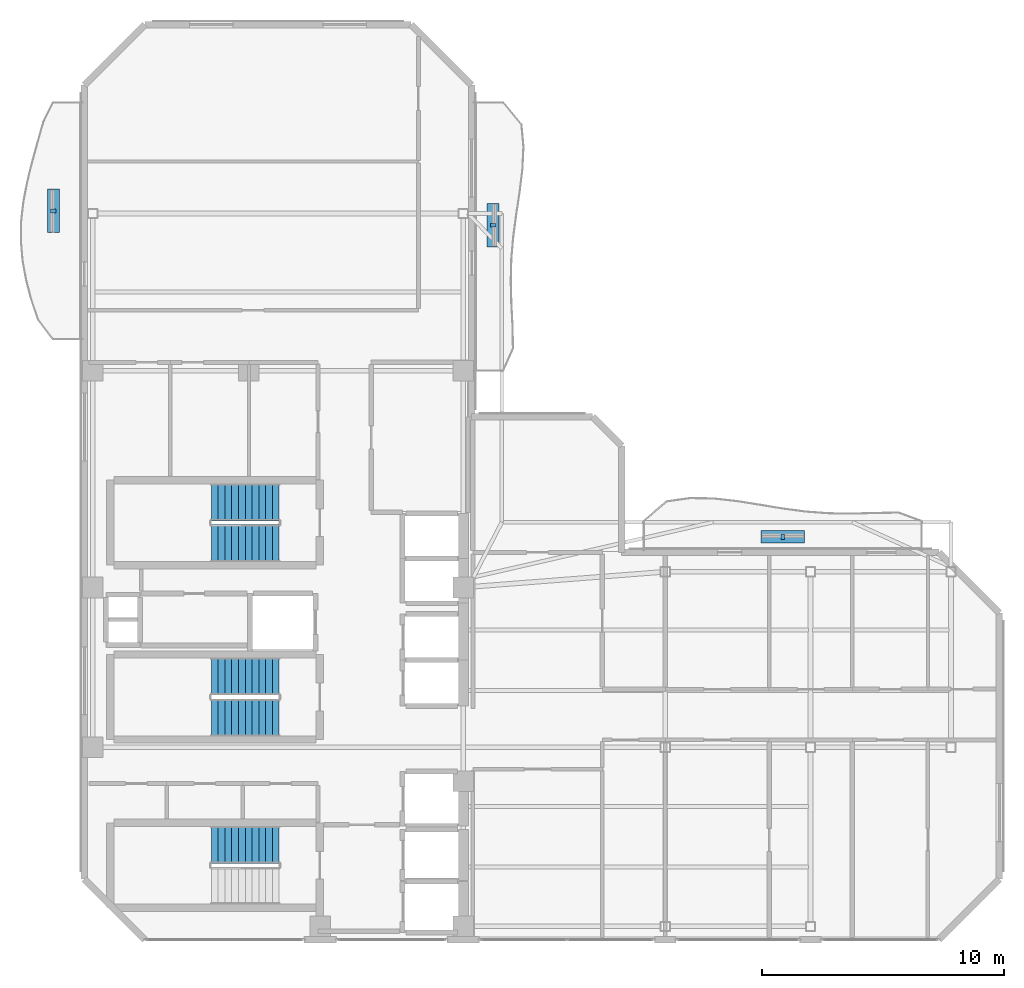
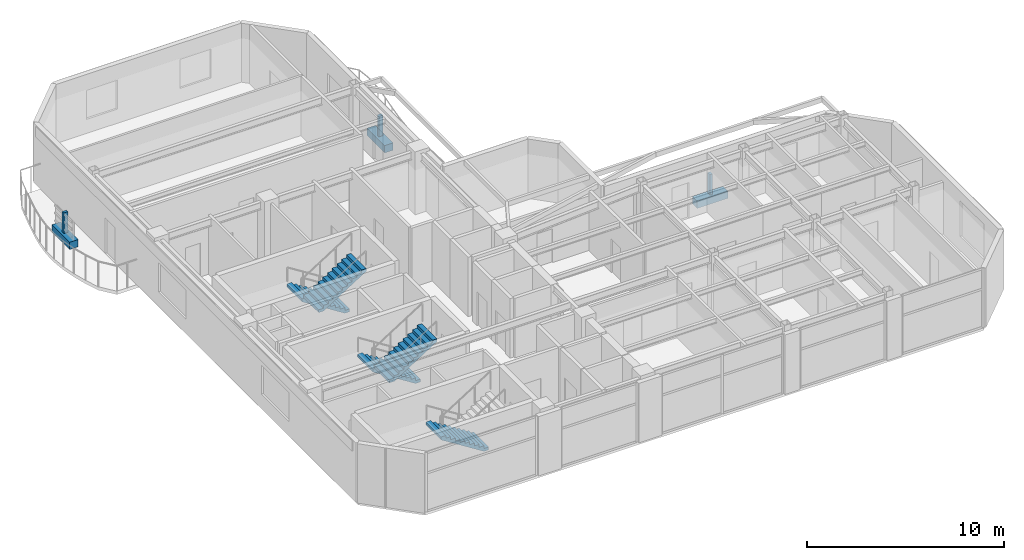
# One storey, part 12 of 15: 6 discrete accessories, 5 stair flights, 3 elements without a shape of their own.
"""IFC4 building model written with IfcOpenShell, lengths in metres."""

from ifc_helpers import new_model, si_unit, direction, frame, origin, origin_2d, place, context, subcontext, project, spatial, polyline, rectangle, outline, extrude, material, type_object, element, aggregate, save


model = new_model("IFC4")

# Units and contexts
model_context = context("Model", 3, precision=1e-05, world=origin(), true_north=direction((0.0, 1.0)))
body_context = subcontext(model_context, "Body", "Model", "MODEL_VIEW")
ifc_project = project(units=[si_unit("LENGTHUNIT", "METRE"), si_unit("AREAUNIT", "SQUARE_METRE"), si_unit("VOLUMEUNIT", "CUBIC_METRE"), si_unit("PLANEANGLEUNIT", "RADIAN"), si_unit("MASSUNIT", "GRAM", prefix="KILO")], contexts=[model_context])

# Site, building, storey
site_placement = place(None, origin())
site = spatial("IfcSite", under=ifc_project, at=site_placement, CompositionType="ELEMENT")
building_placement = place(site_placement, origin())
building = spatial("IfcBuilding", under=site, at=building_placement, Name="Mawjaban Terraces University", CompositionType="ELEMENT")
storey_placement = place(building_placement, frame((0.0, 0.0, 279.39990234375)))
storey = spatial("IfcBuildingStorey", under=building, at=storey_placement, Name="L68", CompositionType="ELEMENT", Elevation=279.39990234375)

# Stair, stair flight
ifc_material_1 = material(Name="Concrete C40/50", Category="concrete")
stair_type = type_object("IfcStairType", Name="Stair_Core1550_H39", PredefinedType="HALF_TURN_STAIR", material=ifc_material_1)
stair_1_placement = place(storey_placement, origin())
stair_1 = element("IfcStair", 1, at=stair_1_placement, inside=storey, type_object=stair_type, Name="L68 Core Exit Stair 1", PredefinedType="HALF_TURN_STAIR")
stair_flight_type = type_object("IfcStairFlightType", Name="Flight_Core1550_H39", PredefinedType="STRAIGHT", material=ifc_material_1)
stair_flight_1_placement = place(storey_placement, frame((30.050048828125, 3.925048828125, 0.0), z_axis=(0.0, 0.0, 1.0), x_axis=(-1.0, 0.0, 0.0)))
stair_flight_1 = element("IfcStairFlight", 2, at=stair_flight_1_placement, type_object=stair_flight_type, Name="ST-1 flight 1", NumberOfRisers=11, NumberOfTreads=10, PredefinedType="STRAIGHT", RiserHeight=0.177272727, TreadLength=0.28, context=body_context, shape_type="SweptSolid", body=[
    extrude(outline(polyline([(0.0, 0.0), (0.0, 0.17724609375), (0.280029296875, 0.17724609375), (0.280029296875, 0.3544921875), (0.56005859375, 0.3544921875), (0.56005859375, 0.53173828125), (0.840087890625, 0.53173828125), (0.840087890625, 0.708984375), (1.1201171875, 0.708984375), (1.1201171875, 0.886474609375), (1.39990234375, 0.886474609375), (1.39990234375, 1.063720703125), (1.679931640625, 1.063720703125), (1.679931640625, 1.240966796875), (1.9599609375, 1.240966796875), (1.9599609375, 1.418212890625), (2.239990234375, 1.418212890625), (2.239990234375, 1.595458984375), (2.52001953125, 1.595458984375), (2.52001953125, 1.772705078125), (2.800048828125, 1.772705078125), (2.800048828125, 1.949951171875), (2.800048828125, 1.59521484375), (0.2802734375, 0.0), (0.0, 0.0)])), frame((0.0, 0.77490234375, 0.0), z_axis=(0.0, -1.0, 0.0), x_axis=(1.0, 0.0, 0.0)), (0.0, 0.0, 1.0), 1.550048828125),
])
aggregate(stair_1, [stair_flight_1])

# Stair, stair flights
stair_2_placement = place(storey_placement, origin())
stair_2 = element("IfcStair", 3, at=stair_2_placement, inside=storey, type_object=stair_type, Name="L68 Core Exit Stair 2", PredefinedType="HALF_TURN_STAIR")
stair_flight_2_placement = place(storey_placement, frame((30.050048828125, 18.074951171875, 0.0), z_axis=(0.0, 0.0, 1.0), x_axis=(-1.0, 0.0, 0.0)))
stair_flight_2 = element("IfcStairFlight", 4, at=stair_flight_2_placement, type_object=stair_flight_type, Name="ST-2 flight 1", NumberOfRisers=11, NumberOfTreads=10, PredefinedType="STRAIGHT", RiserHeight=0.177272727, TreadLength=0.28, context=body_context, shape_type="SweptSolid", body=[
    extrude(outline(polyline([(0.0, 0.0), (0.0, 0.17724609375), (0.280029296875, 0.17724609375), (0.280029296875, 0.3544921875), (0.56005859375, 0.3544921875), (0.56005859375, 0.53173828125), (0.840087890625, 0.53173828125), (0.840087890625, 0.708984375), (1.1201171875, 0.708984375), (1.1201171875, 0.886474609375), (1.39990234375, 0.886474609375), (1.39990234375, 1.063720703125), (1.679931640625, 1.063720703125), (1.679931640625, 1.240966796875), (1.9599609375, 1.240966796875), (1.9599609375, 1.418212890625), (2.239990234375, 1.418212890625), (2.239990234375, 1.595458984375), (2.52001953125, 1.595458984375), (2.52001953125, 1.772705078125), (2.800048828125, 1.772705078125), (2.800048828125, 1.949951171875), (2.800048828125, 1.59521484375), (0.2802734375, 0.0), (0.0, 0.0)])), frame((0.0, 0.77490234375, 0.0), z_axis=(0.0, -1.0, 0.0), x_axis=(1.0, 0.0, 0.0)), (0.0, 0.0, 1.0), 1.550048828125),
])
stair_flight_3_placement = place(storey_placement, frame((27.25, 16.375, 1.9501953125), z_axis=(0.0, 0.0, 1.0), x_axis=(1.0, 0.0, 0.0)))
stair_flight_3 = element("IfcStairFlight", 5, at=stair_flight_3_placement, type_object=stair_flight_type, Name="ST-2 flight 2", NumberOfRisers=11, NumberOfTreads=10, PredefinedType="STRAIGHT", RiserHeight=0.177272727, TreadLength=0.28, context=body_context, shape_type="SweptSolid", body=[
    extrude(outline(polyline([(0.0, 0.0), (0.0, 0.17724609375), (0.280029296875, 0.17724609375), (0.280029296875, 0.3544921875), (0.56005859375, 0.3544921875), (0.56005859375, 0.53173828125), (0.840087890625, 0.53173828125), (0.840087890625, 0.708984375), (1.1201171875, 0.708984375), (1.1201171875, 0.886474609375), (1.39990234375, 0.886474609375), (1.39990234375, 1.063720703125), (1.679931640625, 1.063720703125), (1.679931640625, 1.240966796875), (1.9599609375, 1.240966796875), (1.9599609375, 1.418212890625), (2.239990234375, 1.418212890625), (2.239990234375, 1.595458984375), (2.52001953125, 1.595458984375), (2.52001953125, 1.772705078125), (2.800048828125, 1.772705078125), (2.800048828125, 1.949951171875), (2.800048828125, 1.59521484375), (0.2802734375, 0.0), (0.0, 0.0)])), frame((0.0, 0.77490234375, 0.0), z_axis=(0.0, -1.0, 0.0), x_axis=(1.0, 0.0, 0.0)), (0.0, 0.0, 1.0), 1.550048828125),
])
aggregate(stair_2, [stair_flight_2, stair_flight_3])

stair_3_placement = place(storey_placement, origin())
stair_3 = element("IfcStair", 6, at=stair_3_placement, inside=storey, type_object=stair_type, Name="L68 Core Exit Stair 3", PredefinedType="HALF_TURN_STAIR")
stair_flight_4_placement = place(storey_placement, frame((30.050048828125, 10.875, 0.0), z_axis=(0.0, 0.0, 1.0), x_axis=(-1.0, 0.0, 0.0)))
stair_flight_4 = element("IfcStairFlight", 7, at=stair_flight_4_placement, type_object=stair_flight_type, Name="ST-3 flight 1", NumberOfRisers=11, NumberOfTreads=10, PredefinedType="STRAIGHT", RiserHeight=0.177272727, TreadLength=0.28, context=body_context, shape_type="SweptSolid", body=[
    extrude(outline(polyline([(0.0, 0.0), (0.0, 0.17724609375), (0.280029296875, 0.17724609375), (0.280029296875, 0.3544921875), (0.56005859375, 0.3544921875), (0.56005859375, 0.53173828125), (0.840087890625, 0.53173828125), (0.840087890625, 0.708984375), (1.1201171875, 0.708984375), (1.1201171875, 0.886474609375), (1.39990234375, 0.886474609375), (1.39990234375, 1.063720703125), (1.679931640625, 1.063720703125), (1.679931640625, 1.240966796875), (1.9599609375, 1.240966796875), (1.9599609375, 1.418212890625), (2.239990234375, 1.418212890625), (2.239990234375, 1.595458984375), (2.52001953125, 1.595458984375), (2.52001953125, 1.772705078125), (2.800048828125, 1.772705078125), (2.800048828125, 1.949951171875), (2.800048828125, 1.59521484375), (0.2802734375, 0.0), (0.0, 0.0)])), frame((0.0, 0.77490234375, 0.0), z_axis=(0.0, -1.0, 0.0), x_axis=(1.0, 0.0, 0.0)), (0.0, 0.0, 1.0), 1.550048828125),
])
stair_flight_5_placement = place(storey_placement, frame((27.25, 9.175048828125, 1.9501953125), z_axis=(0.0, 0.0, 1.0), x_axis=(1.0, 0.0, 0.0)))
stair_flight_5 = element("IfcStairFlight", 8, at=stair_flight_5_placement, type_object=stair_flight_type, Name="ST-3 flight 2", NumberOfRisers=11, NumberOfTreads=10, PredefinedType="STRAIGHT", RiserHeight=0.177272727, TreadLength=0.28, context=body_context, shape_type="SweptSolid", body=[
    extrude(outline(polyline([(0.0, 0.0), (0.0, 0.17724609375), (0.280029296875, 0.17724609375), (0.280029296875, 0.3544921875), (0.56005859375, 0.3544921875), (0.56005859375, 0.53173828125), (0.840087890625, 0.53173828125), (0.840087890625, 0.708984375), (1.1201171875, 0.708984375), (1.1201171875, 0.886474609375), (1.39990234375, 0.886474609375), (1.39990234375, 1.063720703125), (1.679931640625, 1.063720703125), (1.679931640625, 1.240966796875), (1.9599609375, 1.240966796875), (1.9599609375, 1.418212890625), (2.239990234375, 1.418212890625), (2.239990234375, 1.595458984375), (2.52001953125, 1.595458984375), (2.52001953125, 1.772705078125), (2.800048828125, 1.772705078125), (2.800048828125, 1.949951171875), (2.800048828125, 1.59521484375), (0.2802734375, 0.0), (0.0, 0.0)])), frame((0.0, 0.77490234375, 0.0), z_axis=(0.0, -1.0, 0.0), x_axis=(1.0, 0.0, 0.0)), (0.0, 0.0, 1.0), 1.550048828125),
])
aggregate(stair_3, [stair_flight_4, stair_flight_5])

# Discrete accessories
ifc_material_2 = material(Name="Stainless steel 316L", Category="steel")
discrete_accessory_type_1 = type_object("IfcDiscreteAccessoryType", Name="FacadeScreenBracket_Steel", PredefinedType="BRACKET", material=ifc_material_2)
for number, where, z_axis, x_axis, name in (
    (9, (20.718994140625, 30.10791015625, 0.419921875), (0.0, 0.0, 1.0), (0.0, 1.0, 0.0), "L68 Balcony Screen Support Bracket west"),
    (10, (50.85009765625, 16.64501953125, 0.419921875), (0.0, 0.0, 1.0), (1.0, 0.0, 0.0), "L68 Balcony Screen Support Bracket inner_north"),
    (11, (38.889892578125, 29.512939453125, 0.419921875), (0.0, 0.0, 1.0), (0.0, 1.0, 0.0), "L68 Balcony Screen Support Bracket inner_east"),
):
    element("IfcDiscreteAccessory", number, at=place(storey_placement, frame(where, z_axis=z_axis, x_axis=x_axis)), inside=storey, type_object=discrete_accessory_type_1, Name=name, PredefinedType="BRACKET", context=body_context, shape_type="SweptSolid", body=[
        extrude(rectangle(XDim=0.159912109375, YDim=0.239990234375, at=origin_2d()), origin(), (0.0, 0.0, 1.0), 1.300048828125),
    ])
ifc_material_3 = material(Name="Precast architectural terracotta planter with engineered planting soil", Category="masonry")
discrete_accessory_type_2 = type_object("IfcDiscreteAccessoryType", Name="IrrigatedPlanterTrough_450", PredefinedType="USERDEFINED", material=ifc_material_3)
for number, where, z_axis, x_axis, name in (
    (12, (20.718994140625, 30.10791015625, -0.0048828125), (0.0, 0.0, 1.0), (0.0, 1.0, 0.0), "L68 Balcony Irrigated Planter west"),
    (13, (50.85009765625, 16.64501953125, -0.0048828125), (0.0, 0.0, 1.0), (1.0, 0.0, 0.0), "L68 Balcony Irrigated Planter inner_north"),
    (14, (38.889892578125, 29.512939453125, -0.0048828125), (0.0, 0.0, 1.0), (0.0, 1.0, 0.0), "L68 Balcony Irrigated Planter inner_east"),
):
    element("IfcDiscreteAccessory", number, at=place(storey_placement, frame(where, z_axis=z_axis, x_axis=x_axis)), inside=storey, type_object=discrete_accessory_type_2, Name=name, ObjectType="PLANTER", PredefinedType="USERDEFINED", context=body_context, shape_type="SweptSolid", body=[
        extrude(rectangle(XDim=1.800048828125, YDim=0.5, at=origin_2d()), origin(), (0.0, 0.0, 1.0), 0.449951171875),
    ])

save(model, "model.ifc")
